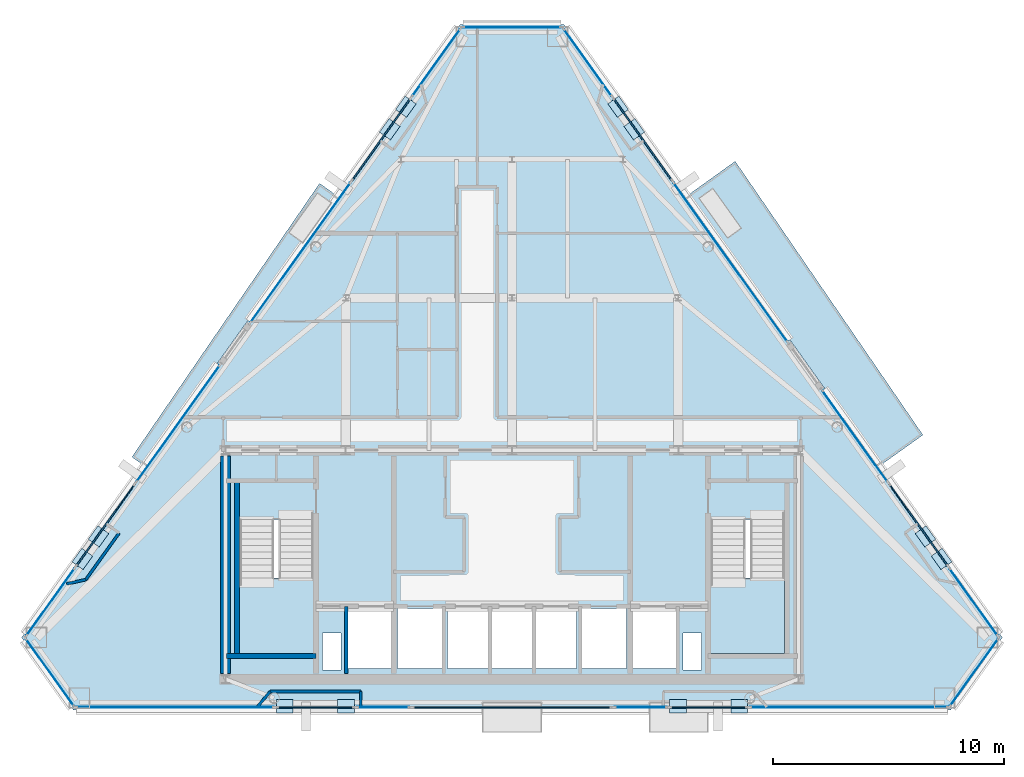
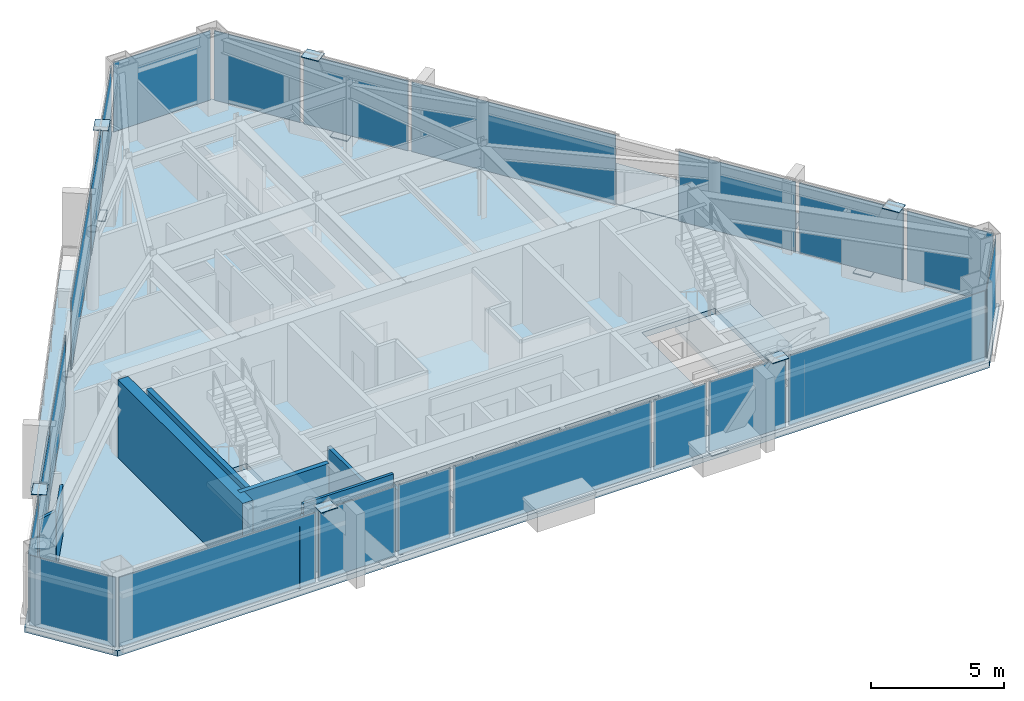
# One storey, part 7 of 12: 34 plates, 9 walls, 5 slabs, 24 elements without a shape of their own.
"""IFC4 building model written with IfcOpenShell, lengths in metres."""

from ifc_helpers import new_model, si_unit, direction, frame, frame_2d, origin, origin_2d, place, context, subcontext, project, spatial, polyline, rectangle, outline, extrude, source, transform, mapped, material, layer, layer_set, type_object, type_shapes, element, aggregate, save


model = new_model("IFC4")

# Units and contexts
model_context = context("Model", 3, precision=1e-05, world=origin(), true_north=direction((0.0, 1.0)))
body_context = subcontext(model_context, "Body", "Model", "MODEL_VIEW")
ifc_project = project(units=[si_unit("LENGTHUNIT", "METRE"), si_unit("AREAUNIT", "SQUARE_METRE"), si_unit("VOLUMEUNIT", "CUBIC_METRE"), si_unit("PLANEANGLEUNIT", "RADIAN"), si_unit("MASSUNIT", "GRAM", prefix="KILO")], contexts=[model_context])

# Site, building, storey
site_placement = place(None, origin())
site = spatial("IfcSite", under=ifc_project, at=site_placement, CompositionType="ELEMENT")
building_placement = place(site_placement, origin())
building = spatial("IfcBuilding", under=site, at=building_placement, Name="Talgorran Terracotta Tower", CompositionType="ELEMENT")
storey_placement = place(building_placement, frame((0.0, 0.0, 270.60009765625)))
storey = spatial("IfcBuildingStorey", under=building, at=storey_placement, Name="L71", CompositionType="ELEMENT", Elevation=270.60009765625)

# Plates
ifc_material_1 = material(Name="Steel Grade 350 (350L0)", Category="steel")
ifc_layer_1 = layer(ifc_material_1, 0.031982421875, Name="PL_CAP_MN07")
ifc_layer_set_1 = layer_set([ifc_layer_1], Name="Steel Grade 350 (350L0)")
plate_type_1 = type_object("IfcPlateType", Name="PL_CAP_MN07", PredefinedType="USERDEFINED", material=ifc_layer_set_1)
for number, where, z_axis, x_axis, name in (
    (1, (-7.181884765625, -15.27880859375, -0.005859375), (0.0, 0.0, 1.0), (-1.0, 0.0, 0.0), "L71 Diagonal Frame End Cap SWF Bot"),
    (2, (-9.82763671875, -15.27880859375, 3.31884765625), (0.0, 0.0, 1.0), (-1.0, 0.0, 0.0), "L71 Diagonal Frame End Cap SWF Top"),
    (3, (7.181884765625, -15.27880859375, -0.005859375), (0.0, 0.0, 1.0), (1.0, 0.0, 0.0), "L71 Diagonal Frame End Cap SEF Bot"),
    (4, (9.82763671875, -15.27880859375, 3.31884765625), (0.0, 0.0, 1.0), (1.0, 0.0, 0.0), "L71 Diagonal Frame End Cap SEF Top"),
    (5, (17.8955078125, -7.92431640625, -0.005859375), (0.0, 0.0, 1.0), (0.581697151818, -0.813405448449, 0.0), "L71 Diagonal Frame End Cap NEL Bot"),
    (6, (18.593505859375, -8.900390625, 3.31884765625), (0.0, 0.0, 1.0), (0.581697151818, -0.813405448449, 0.0), "L71 Diagonal Frame End Cap NEL Top"),
    (7, (5.292236328125, 9.69775390625, -0.005859375), (0.0, 0.0, 1.0), (-0.581697151818, 0.813405448449, 0.0), "L71 Diagonal Frame End Cap NEU Bot"),
    (8, (4.593994140625, 10.673583984375, 3.31884765625), (0.0, 0.0, 1.0), (-0.581697151818, 0.813405448449, 0.0), "L71 Diagonal Frame End Cap NEU Top"),
    (9, (-5.292236328125, 9.69775390625, -0.005859375), (0.0, 0.0, 1.0), (0.581697151818, 0.813405448449, 0.0), "L71 Diagonal Frame End Cap NWU Bot"),
    (10, (-4.593994140625, 10.673583984375, 3.31884765625), (0.0, 0.0, 1.0), (0.581697151818, 0.813405448449, 0.0), "L71 Diagonal Frame End Cap NWU Top"),
    (11, (-17.8955078125, -7.92431640625, -0.005859375), (0.0, 0.0, 1.0), (-0.581697151818, -0.813405448449, 0.0), "L71 Diagonal Frame End Cap NWL Bot"),
    (12, (-18.593505859375, -8.900390625, 3.31884765625), (0.0, 0.0, 1.0), (-0.581697151818, -0.813405448449, 0.0), "L71 Diagonal Frame End Cap NWL Top"),
):
    element("IfcPlate", number, at=place(storey_placement, frame(where, z_axis=z_axis, x_axis=x_axis)), inside=storey, type_object=plate_type_1, Name=name, ObjectType="CAP PLATE", PredefinedType="USERDEFINED", context=body_context, shape_type="SweptSolid", body=[
        extrude(rectangle(XDim=0.719970703125, YDim=0.580078125, at=origin_2d()), origin(), (0.0, 0.0, 1.0), 0.031982421875),
    ])

# Slabs
ifc_material_2 = material(Name="Concrete C40/50", Category="concrete")
ifc_layer_2 = layer(ifc_material_2, 0.219970703125, Name="SL_BALCONY_220")
ifc_layer_set_2 = layer_set([ifc_layer_2], Name="Concrete C40/50")
slab_type_1 = type_object("IfcSlabType", Name="SL_BALCONY_220", PredefinedType="FLOOR", material=ifc_layer_set_2)
slab_1_placement = place(storey_placement, frame((0.0, 0.0, -0.22021484375)))
element("IfcSlab", 13, at=slab_1_placement, inside=storey, type_object=slab_type_1, Name="L71 Outdoor Wave Balcony BAL-NE", PredefinedType="FLOOR", context=body_context, shape_type="SweptSolid", body=[
    extrude(outline(polyline([(7.569580078125, 6.814208984375), (15.92138671875, -4.863525390625), (17.781982421875, -3.532958984375), (9.66015625, 8.309326171875), (7.569580078125, 6.814208984375)])), origin(), (0.0, 0.0, 1.0), 0.22021484375),
])
slab_2_placement = place(storey_placement, frame((0.0, 0.0, -0.22021484375)))
element("IfcSlab", 14, at=slab_2_placement, inside=storey, type_object=slab_type_1, Name="L71 Outdoor Wave Balcony BAL-NW", PredefinedType="FLOOR", context=body_context, shape_type="SweptSolid", body=[
    extrude(outline(polyline([(-15.92138671875, -4.863525390625), (-7.569580078125, 6.814208984375), (-8.328125, 7.356689453125), (-16.4501953125, -4.485595703125), (-15.92138671875, -4.863525390625)])), origin(), (0.0, 0.0, 1.0), 0.22021484375),
])

# Stair, slab
stair_type = type_object("IfcStairType", Name="ST_FIRE_SCISSOR", PredefinedType="HALF_TURN_STAIR", material=ifc_material_2)
stair_1_placement = place(storey_placement, origin())
stair_1 = element("IfcStair", 15, at=stair_1_placement, inside=storey, type_object=stair_type, Name="L71 West Protected Fire Stair ST-01", PredefinedType="HALF_TURN_STAIR")
ifc_layer_3 = layer(ifc_material_2, 0.199951171875, Name="SL_LANDING_200")
ifc_layer_set_3 = layer_set([ifc_layer_3], Name="Concrete C40/50")
slab_type_2 = type_object("IfcSlabType", Name="SL_LANDING_200", PredefinedType="LANDING", material=ifc_layer_set_3)
slab_3_placement = place(storey_placement, frame((0.0, 0.0, 1.599853515625)))
slab_3 = element("IfcSlab", 16, at=slab_3_placement, type_object=slab_type_2, Name="ST-01 landing 1", PredefinedType="LANDING", context=body_context, shape_type="SweptSolid", body=[
    extrude(outline(polyline([(-11.800048828125, -9.719970703125), (-11.800048828125, -13.0), (-8.60009765625, -13.0), (-8.60009765625, -9.719970703125), (-11.800048828125, -9.719970703125)])), origin(), (0.0, 0.0, 1.0), 0.199951171875),
])
aggregate(stair_1, [slab_3])

stair_2_placement = place(storey_placement, origin())
stair_2 = element("IfcStair", 17, at=stair_2_placement, inside=storey, type_object=stair_type, Name="L71 East Protected Fire Stair ST-02", PredefinedType="HALF_TURN_STAIR")
slab_4_placement = place(storey_placement, frame((0.0, 0.0, 1.599853515625)))
slab_4 = element("IfcSlab", 18, at=slab_4_placement, type_object=slab_type_2, Name="ST-02 landing 1", PredefinedType="LANDING", context=body_context, shape_type="SweptSolid", body=[
    extrude(outline(polyline([(8.60009765625, -9.719970703125), (8.60009765625, -13.0), (11.800048828125, -13.0), (11.800048828125, -9.719970703125), (8.60009765625, -9.719970703125)])), origin(), (0.0, 0.0, 1.0), 0.199951171875),
])
aggregate(stair_2, [slab_4])

# Slab
ifc_layer_4 = layer(ifc_material_2, 0.2548828125, Name="SL_TOWER_235")
ifc_layer_set_4 = layer_set([ifc_layer_4], Name="Concrete C40/50")
slab_type_3 = type_object("IfcSlabType", Name="SL_TOWER_235", PredefinedType="FLOOR", material=ifc_layer_set_4)
slab_5_placement = place(storey_placement, frame((0.0, 0.0, -0.255126953125)))
element("IfcSlab", 19, at=slab_5_placement, inside=storey, type_object=slab_type_3, Name="Storey L71 Structural Floor Slab", PredefinedType="FLOOR", context=body_context, shape_type="SweptSolid", body=[
    extrude(outline(polyline([(-21.22412109375, -12.303466796875), (-18.981689453125, -15.43896484375), (18.981689453125, -15.43896484375), (21.22412109375, -12.303466796875), (2.242431640625, 14.23681640625), (-2.242431640625, 14.23681640625), (-21.22412109375, -12.303466796875)]), holes=[polyline([(-11.800048828125, -7.199951171875), (-11.800048828125, -13.0), (-8.60009765625, -13.0), (-8.60009765625, -7.199951171875), (-11.800048828125, -7.199951171875)]), polyline([(8.60009765625, -7.199951171875), (8.60009765625, -13.0), (11.800048828125, -13.0), (11.800048828125, -7.199951171875), (8.60009765625, -7.199951171875)]), polyline([(-7.10009765625, -13.64990234375), (-5.199951171875, -13.64990234375), (-5.199951171875, -11.050048828125), (-7.10009765625, -11.050048828125), (-7.10009765625, -13.64990234375)]), polyline([(5.199951171875, -13.64990234375), (7.10009765625, -13.64990234375), (7.10009765625, -11.050048828125), (5.199951171875, -11.050048828125), (5.199951171875, -13.64990234375)]), polyline([(3.0, -13.64990234375), (4.949951171875, -13.64990234375), (4.949951171875, -11.050048828125), (3.0, -11.050048828125), (3.0, -13.64990234375)]), polyline([(-4.949951171875, -13.64990234375), (-3.0, -13.64990234375), (-3.0, -11.050048828125), (-4.949951171875, -11.050048828125), (-4.949951171875, -13.64990234375)]), polyline([(-2.800048828125, -13.64990234375), (-1.0, -13.64990234375), (-1.0, -11.050048828125), (-2.800048828125, -11.050048828125), (-2.800048828125, -13.64990234375)]), polyline([(-0.89990234375, -13.64990234375), (0.89990234375, -13.64990234375), (0.89990234375, -11.050048828125), (-0.89990234375, -11.050048828125), (-0.89990234375, -13.64990234375)]), polyline([(1.0, -13.64990234375), (2.800048828125, -13.64990234375), (2.800048828125, -11.050048828125), (1.0, -11.050048828125), (1.0, -13.64990234375)]), polyline([(-8.199951171875, -13.699951171875), (-7.39990234375, -13.699951171875), (-7.39990234375, -12.10009765625), (-8.199951171875, -12.10009765625), (-8.199951171875, -13.699951171875)]), polyline([(7.39990234375, -13.699951171875), (8.199951171875, -13.699951171875), (8.199951171875, -12.10009765625), (7.39990234375, -12.10009765625), (7.39990234375, -13.699951171875)])]), origin(), (0.0, 0.0, 1.0), 0.255126953125),
])

# Curtain wall, plate
ifc_material_3 = material(Name="High-Wind Unitised Glazing", Category="glass")
ifc_layer_5 = layer(ifc_material_3, 0.2099609375, Name="CW_SYS3_RES_HIGH")
ifc_layer_set_5 = layer_set([ifc_layer_5], Name="High-Wind Unitised Glazing")
curtain_wall_type = type_object("IfcCurtainWallType", Name="CW_SYS3_RES_HIGH", PredefinedType="NOTDEFINED", material=ifc_layer_set_5)
curtain_wall_1_placement = place(storey_placement, origin())
curtain_wall_1 = element("IfcCurtainWall", 20, at=curtain_wall_1_placement, inside=storey, type_object=curtain_wall_type, Name="CW-L71-F0", PredefinedType="NOTDEFINED")
ifc_material_4 = material(Name="High-Wind Acoustic Vision Glass", Category="glass")
ifc_layer_6 = layer(ifc_material_4, 0.031982421875, Name="PLT_VISION_32")
ifc_layer_set_6 = layer_set([ifc_layer_6], Name="High-Wind Acoustic Vision Glass")
plate_type_2 = type_object("IfcPlateType", Name="PLT_VISION_32", PredefinedType="CURTAIN_PANEL", material=ifc_layer_set_6)
shared_shape_1 = source(origin(), body_context, "Body", "SweptSolid", [
    extrude(rectangle(XDim=3.5673828125, YDim=0.031982421875, at=origin_2d()), origin(), (0.0, 0.0, 1.0), 3.205078125),
])
plate_1_placement = place(storey_placement, frame((-19.998291015625, -13.811279296875, 0.06982421875), z_axis=(0.0, 0.0, 1.0), x_axis=(0.581745845777, -0.813370623345, 0.0)))
plate_1 = element("IfcPlate", 21, at=plate_1_placement, type_object=plate_type_2, Name="CW-L71-0 panel 1.1", PredefinedType="CURTAIN_PANEL", context=body_context, shape_type="MappedRepresentation", body=[
    mapped(shared_shape_1, transform((0.0, 0.0, 0.0), scale=1.0)),
])
aggregate(curtain_wall_1, [plate_1])

curtain_wall_2_placement = place(storey_placement, origin())
curtain_wall_2 = element("IfcCurtainWall", 22, at=curtain_wall_2_placement, inside=storey, type_object=curtain_wall_type, Name="CW-L71-F2", PredefinedType="NOTDEFINED")
plate_2_placement = place(storey_placement, frame((19.998291015625, -13.811279296875, 0.06982421875), z_axis=(0.0, 0.0, 1.0), x_axis=(0.581745845777, 0.813370623345, 0.0)))
plate_2 = element("IfcPlate", 23, at=plate_2_placement, type_object=plate_type_2, Name="CW-L71-2 panel 1.1", PredefinedType="CURTAIN_PANEL", context=body_context, shape_type="MappedRepresentation", body=[
    mapped(shared_shape_1, transform((0.0, 0.0, 0.0), scale=1.0)),
])
aggregate(curtain_wall_2, [plate_2])

curtain_wall_3_placement = place(storey_placement, origin())
curtain_wall_3 = element("IfcCurtainWall", 24, at=curtain_wall_3_placement, inside=storey, type_object=curtain_wall_type, Name="CW-L71-F1", PredefinedType="NOTDEFINED")
shared_shape_2 = source(origin(), body_context, "Body", "SweptSolid", [
    extrude(rectangle(XDim=8.537109375, YDim=0.031982421875, at=origin_2d()), origin(), (0.0, 0.0, 1.0), 3.205078125),
])
plate_3_placement = place(storey_placement, frame((-14.58154296875, -15.31884765625, 0.06982421875), z_axis=(0.0, 0.0, 1.0), x_axis=(1.0, 0.0, 0.0)))
plate_3 = element("IfcPlate", 25, at=plate_3_placement, type_object=plate_type_2, Name="CW-L71-1 panel 1.1", PredefinedType="CURTAIN_PANEL", context=body_context, shape_type="MappedRepresentation", body=[
    mapped(shared_shape_2, transform((0.0, 0.0, 0.0), scale=1.0)),
])
aggregate(curtain_wall_3, [plate_3])

curtain_wall_4_placement = place(storey_placement, origin())
curtain_wall_4 = element("IfcCurtainWall", 26, at=curtain_wall_4_placement, inside=storey, type_object=curtain_wall_type, Name="CW-L71-F1G", PredefinedType="NOTDEFINED")
plate_4_placement = place(storey_placement, frame((14.58154296875, -15.31884765625, 0.06982421875), z_axis=(0.0, 0.0, 1.0), x_axis=(1.0, 0.0, 0.0)))
plate_4 = element("IfcPlate", 27, at=plate_4_placement, type_object=plate_type_2, Name="CW-L71-1G panel 1.1", PredefinedType="CURTAIN_PANEL", context=body_context, shape_type="MappedRepresentation", body=[
    mapped(shared_shape_2, transform((0.0, 0.0, 0.0), scale=1.0)),
])
aggregate(curtain_wall_4, [plate_4])

curtain_wall_5_placement = place(storey_placement, origin())
curtain_wall_5 = element("IfcCurtainWall", 28, at=curtain_wall_5_placement, inside=storey, type_object=curtain_wall_type, Name="CW-L71-F1B", PredefinedType="NOTDEFINED")
ifc_material_5 = material(Name="Terracotta Insulated Spandrel", Category="masonry")
ifc_layer_7 = layer(ifc_material_5, 0.06494140625, Name="PLT_SPANDREL_TERRA")
ifc_layer_set_7 = layer_set([ifc_layer_7], Name="Terracotta Insulated Spandrel")
plate_type_3 = type_object("IfcPlateType", Name="PLT_SPANDREL_TERRA", PredefinedType="SHEET", material=ifc_layer_set_7)
shared_shape_3 = source(origin(), body_context, "Body", "SweptSolid", [
    extrude(rectangle(XDim=3.31640625, YDim=0.06494140625, at=origin_2d()), origin(), (0.0, 0.0, 1.0), 3.205078125),
])
plate_5_placement = place(storey_placement, frame((-8.504638671875, -15.31884765625, 0.06982421875), z_axis=(0.0, 0.0, 1.0), x_axis=(1.0, 0.0, 0.0)))
plate_5 = element("IfcPlate", 29, at=plate_5_placement, type_object=plate_type_3, Name="CW-L71-1B panel 1.1", PredefinedType="CURTAIN_PANEL", context=body_context, shape_type="MappedRepresentation", body=[
    mapped(shared_shape_3, transform((0.0, 0.0, 0.0), scale=1.0)),
])
aggregate(curtain_wall_5, [plate_5])

curtain_wall_6_placement = place(storey_placement, origin())
curtain_wall_6 = element("IfcCurtainWall", 30, at=curtain_wall_6_placement, inside=storey, type_object=curtain_wall_type, Name="CW-L71-F1F", PredefinedType="NOTDEFINED")
plate_6_placement = place(storey_placement, frame((8.504638671875, -15.31884765625, 0.06982421875), z_axis=(0.0, 0.0, 1.0), x_axis=(1.0, 0.0, 0.0)))
plate_6 = element("IfcPlate", 31, at=plate_6_placement, type_object=plate_type_3, Name="CW-L71-1F panel 1.1", PredefinedType="CURTAIN_PANEL", context=body_context, shape_type="MappedRepresentation", body=[
    mapped(shared_shape_3, transform((0.0, 0.0, 0.0), scale=1.0)),
])
aggregate(curtain_wall_6, [plate_6])

curtain_wall_7_placement = place(storey_placement, origin())
curtain_wall_7 = element("IfcCurtainWall", 32, at=curtain_wall_7_placement, inside=storey, type_object=curtain_wall_type, Name="CW-L71-F1C", PredefinedType="NOTDEFINED")
shared_shape_4 = source(origin(), body_context, "Body", "SweptSolid", [
    extrude(rectangle(XDim=2.2548828125, YDim=0.031982421875, at=origin_2d()), origin(), (0.0, 0.0, 1.0), 3.205078125),
])
plate_7_placement = place(storey_placement, frame((-5.569091796875, -15.31884765625, 0.06982421875), z_axis=(0.0, 0.0, 1.0), x_axis=(1.0, 0.0, 0.0)))
plate_7 = element("IfcPlate", 33, at=plate_7_placement, type_object=plate_type_2, Name="CW-L71-1C panel 1.1", PredefinedType="CURTAIN_PANEL", context=body_context, shape_type="MappedRepresentation", body=[
    mapped(shared_shape_4, transform((0.0, 0.0, 0.0), scale=1.0)),
])
aggregate(curtain_wall_7, [plate_7])

curtain_wall_8_placement = place(storey_placement, origin())
curtain_wall_8 = element("IfcCurtainWall", 34, at=curtain_wall_8_placement, inside=storey, type_object=curtain_wall_type, Name="CW-L71-F1E", PredefinedType="NOTDEFINED")
plate_8_placement = place(storey_placement, frame((5.569091796875, -15.31884765625, 0.06982421875), z_axis=(0.0, 0.0, 1.0), x_axis=(1.0, 0.0, 0.0)))
plate_8 = element("IfcPlate", 35, at=plate_8_placement, type_object=plate_type_2, Name="CW-L71-1E panel 1.1", PredefinedType="CURTAIN_PANEL", context=body_context, shape_type="MappedRepresentation", body=[
    mapped(shared_shape_4, transform((0.0, 0.0, 0.0), scale=1.0)),
])
aggregate(curtain_wall_8, [plate_8])

curtain_wall_9_placement = place(storey_placement, origin())
curtain_wall_9 = element("IfcCurtainWall", 36, at=curtain_wall_9_placement, inside=storey, type_object=curtain_wall_type, Name="CW-L71-F1D", PredefinedType="NOTDEFINED")
shared_shape_5 = source(origin(), body_context, "Body", "SweptSolid", [
    extrude(rectangle(XDim=8.5830078125, YDim=0.06494140625, at=origin_2d()), origin(), (0.0, 0.0, 1.0), 3.205078125),
])
plate_9_placement = place(storey_placement, frame((0.0, -15.31884765625, 0.06982421875), z_axis=(0.0, 0.0, 1.0), x_axis=(1.0, 0.0, 0.0)))
plate_9 = element("IfcPlate", 37, at=plate_9_placement, type_object=plate_type_3, Name="CW-L71-1D panel 1.1", PredefinedType="CURTAIN_PANEL", context=body_context, shape_type="MappedRepresentation", body=[
    mapped(shared_shape_5, transform((0.0, 0.0, 0.0), scale=1.0)),
])
aggregate(curtain_wall_9, [plate_9])

curtain_wall_10_placement = place(storey_placement, origin())
curtain_wall_10 = element("IfcCurtainWall", 38, at=curtain_wall_10_placement, inside=storey, type_object=curtain_wall_type, Name="CW-L71-F40", PredefinedType="NOTDEFINED")
shared_shape_6 = source(origin(), body_context, "Body", "SweptSolid", [
    extrude(rectangle(XDim=3.56640625, YDim=0.031982421875, at=origin_2d()), origin(), (0.0, 0.0, 1.0), 3.205078125),
])
plate_10_placement = place(storey_placement, frame((19.975341796875, -10.763671875, 0.06982421875), z_axis=(0.0, 0.0, 1.0), x_axis=(-0.581728113861, 0.813383305425, 0.0)))
plate_10 = element("IfcPlate", 39, at=plate_10_placement, type_object=plate_type_2, Name="CW-L71-40 panel 1.1", PredefinedType="CURTAIN_PANEL", context=body_context, shape_type="MappedRepresentation", body=[
    mapped(shared_shape_6, transform((0.0, 0.0, 0.0), scale=1.0)),
])
aggregate(curtain_wall_10, [plate_10])

curtain_wall_11_placement = place(storey_placement, origin())
curtain_wall_11 = element("IfcCurtainWall", 40, at=curtain_wall_11_placement, inside=storey, type_object=curtain_wall_type, Name="CW-L71-F61C", PredefinedType="NOTDEFINED")
plate_11_placement = place(storey_placement, frame((-19.975341796875, -10.763671875, 0.06982421875), z_axis=(0.0, 0.0, 1.0), x_axis=(-0.581728113861, -0.813383305425, 0.0)))
plate_11 = element("IfcPlate", 41, at=plate_11_placement, type_object=plate_type_2, Name="CW-L71-61C panel 1.1", PredefinedType="CURTAIN_PANEL", context=body_context, shape_type="MappedRepresentation", body=[
    mapped(shared_shape_6, transform((0.0, 0.0, 0.0), scale=1.0)),
])
aggregate(curtain_wall_11, [plate_11])

curtain_wall_12_placement = place(storey_placement, origin())
curtain_wall_12 = element("IfcCurtainWall", 42, at=curtain_wall_12_placement, inside=storey, type_object=curtain_wall_type, Name="CW-L71-F40B", PredefinedType="NOTDEFINED")
shared_shape_7 = source(origin(), body_context, "Body", "SweptSolid", [
    extrude(rectangle(XDim=4.318115234375, YDim=0.06494140625, at=origin_2d()), origin(), (0.0, 0.0, 1.0), 3.205078125),
])
type_shapes(plate_type_3, [shared_shape_3, shared_shape_5, shared_shape_7])
plate_12_placement = place(storey_placement, frame((17.5947265625, -7.43505859375, 0.06982421875), z_axis=(0.0, 0.0, 1.0), x_axis=(-0.58172187005, 0.813387770934, 0.0)))
plate_12 = element("IfcPlate", 43, at=plate_12_placement, type_object=plate_type_3, Name="CW-L71-40B panel 1.1", PredefinedType="CURTAIN_PANEL", context=body_context, shape_type="MappedRepresentation", body=[
    mapped(shared_shape_7, transform((0.0, 0.0, 0.0), scale=1.0)),
])
aggregate(curtain_wall_12, [plate_12])

curtain_wall_13_placement = place(storey_placement, origin())
curtain_wall_13 = element("IfcCurtainWall", 44, at=curtain_wall_13_placement, inside=storey, type_object=curtain_wall_type, Name="CW-L71-F41B", PredefinedType="NOTDEFINED")
plate_13_placement = place(storey_placement, frame((5.657958984375, 9.2548828125, 0.06982421875), z_axis=(0.0, 0.0, 1.0), x_axis=(-0.581747323651, 0.813369566326, 0.0)))
plate_13 = element("IfcPlate", 45, at=plate_13_placement, type_object=plate_type_3, Name="CW-L71-41B panel 1.1", PredefinedType="CURTAIN_PANEL", context=body_context, shape_type="MappedRepresentation", body=[
    mapped(shared_shape_7, transform((0.0, 0.0, 0.0), scale=1.0)),
])
aggregate(curtain_wall_13, [plate_13])

curtain_wall_14_placement = place(storey_placement, origin())
curtain_wall_14 = element("IfcCurtainWall", 46, at=curtain_wall_14_placement, inside=storey, type_object=curtain_wall_type, Name="CW-L71-F60B", PredefinedType="NOTDEFINED")
plate_14_placement = place(storey_placement, frame((-5.657958984375, 9.2548828125, 0.06982421875), z_axis=(0.0, 0.0, 1.0), x_axis=(-0.58173248369, -0.813380180125, 0.0)))
plate_14 = element("IfcPlate", 47, at=plate_14_placement, type_object=plate_type_3, Name="CW-L71-60B panel 1.1", PredefinedType="CURTAIN_PANEL", context=body_context, shape_type="MappedRepresentation", body=[
    mapped(shared_shape_7, transform((0.0, 0.0, 0.0), scale=1.0)),
])
aggregate(curtain_wall_14, [plate_14])

curtain_wall_15_placement = place(storey_placement, origin())
curtain_wall_15 = element("IfcCurtainWall", 48, at=curtain_wall_15_placement, inside=storey, type_object=curtain_wall_type, Name="CW-L71-F61B", PredefinedType="NOTDEFINED")
plate_15_placement = place(storey_placement, frame((-17.5947265625, -7.43505859375, 0.06982421875), z_axis=(0.0, 0.0, 1.0), x_axis=(-0.58173248369, -0.813380180125, 0.0)))
plate_15 = element("IfcPlate", 49, at=plate_15_placement, type_object=plate_type_3, Name="CW-L71-61B panel 1.1", PredefinedType="CURTAIN_PANEL", context=body_context, shape_type="MappedRepresentation", body=[
    mapped(shared_shape_7, transform((0.0, 0.0, 0.0), scale=1.0)),
])
aggregate(curtain_wall_15, [plate_15])

curtain_wall_16_placement = place(storey_placement, origin())
curtain_wall_16 = element("IfcCurtainWall", 50, at=curtain_wall_16_placement, inside=storey, type_object=curtain_wall_type, Name="CW-L71-F40C", PredefinedType="NOTDEFINED")
shared_shape_8 = source(origin(), body_context, "Body", "SweptSolid", [
    extrude(rectangle(XDim=4.850341796875, YDim=0.031982421875, at=origin_2d()), origin(), (0.0, 0.0, 1.0), 3.205078125),
])
plate_16_placement = place(storey_placement, frame((14.8408203125, -3.584228515625, 0.06982421875), z_axis=(0.0, 0.0, 1.0), x_axis=(-0.581734712783, 0.813378585865, 0.0)))
plate_16 = element("IfcPlate", 51, at=plate_16_placement, type_object=plate_type_2, Name="CW-L71-40C panel 1.1", PredefinedType="CURTAIN_PANEL", context=body_context, shape_type="MappedRepresentation", body=[
    mapped(shared_shape_8, transform((0.0, 0.0, 0.0), scale=1.0)),
])
aggregate(curtain_wall_16, [plate_16])

curtain_wall_17_placement = place(storey_placement, origin())
curtain_wall_17 = element("IfcCurtainWall", 52, at=curtain_wall_17_placement, inside=storey, type_object=curtain_wall_type, Name="CW-L71-F41", PredefinedType="NOTDEFINED")
shared_shape_9 = source(origin(), body_context, "Body", "SweptSolid", [
    extrude(rectangle(XDim=8.450927734375, YDim=0.031982421875, at=origin_2d()), origin(), (0.0, 0.0, 1.0), 3.205078125),
])
plate_17_placement = place(storey_placement, frame((9.45947265625, 3.93994140625, 0.06982421875), z_axis=(0.0, 0.0, 1.0), x_axis=(-0.581730278797, 0.813381757068, 0.0)))
plate_17 = element("IfcPlate", 53, at=plate_17_placement, type_object=plate_type_2, Name="CW-L71-41 panel 1.1", PredefinedType="CURTAIN_PANEL", context=body_context, shape_type="MappedRepresentation", body=[
    mapped(shared_shape_9, transform((0.0, 0.0, 0.0), scale=1.0)),
])
aggregate(curtain_wall_17, [plate_17])

curtain_wall_18_placement = place(storey_placement, origin())
curtain_wall_18 = element("IfcCurtainWall", 54, at=curtain_wall_18_placement, inside=storey, type_object=curtain_wall_type, Name="CW-L71-F41C", PredefinedType="NOTDEFINED")
shared_shape_10 = source(origin(), body_context, "Body", "SweptSolid", [
    extrude(rectangle(XDim=3.558349609375, YDim=0.031982421875, at=origin_2d()), origin(), (0.0, 0.0, 1.0), 3.205078125),
])
plate_18_placement = place(storey_placement, frame((3.27978515625, 12.580322265625, 0.06982421875), z_axis=(0.0, 0.0, 1.0), x_axis=(-0.581731743686, 0.813380709378, 0.0)))
plate_18 = element("IfcPlate", 55, at=plate_18_placement, type_object=plate_type_2, Name="CW-L71-41C panel 1.1", PredefinedType="CURTAIN_PANEL", context=body_context, shape_type="MappedRepresentation", body=[
    mapped(shared_shape_10, transform((0.0, 0.0, 0.0), scale=1.0)),
])
aggregate(curtain_wall_18, [plate_18])

curtain_wall_19_placement = place(storey_placement, origin())
curtain_wall_19 = element("IfcCurtainWall", 56, at=curtain_wall_19_placement, inside=storey, type_object=curtain_wall_type, Name="CW-L71-F60", PredefinedType="NOTDEFINED")
plate_19_placement = place(storey_placement, frame((-3.27978515625, 12.580322265625, 0.06982421875), z_axis=(0.0, 0.0, 1.0), x_axis=(-0.581731743686, -0.813380709378, 0.0)))
plate_19 = element("IfcPlate", 57, at=plate_19_placement, type_object=plate_type_2, Name="CW-L71-60 panel 1.1", PredefinedType="CURTAIN_PANEL", context=body_context, shape_type="MappedRepresentation", body=[
    mapped(shared_shape_10, transform((0.0, 0.0, 0.0), scale=1.0)),
])
aggregate(curtain_wall_19, [plate_19])

curtain_wall_20_placement = place(storey_placement, origin())
curtain_wall_20 = element("IfcCurtainWall", 58, at=curtain_wall_20_placement, inside=storey, type_object=curtain_wall_type, Name="CW-L71-F4", PredefinedType="NOTDEFINED")
shared_shape_11 = source(origin(), body_context, "Body", "SweptSolid", [
    extrude(rectangle(XDim=4.2216796875, YDim=0.031982421875, at=origin_2d()), origin(), (0.0, 0.0, 1.0), 3.205078125),
])
plate_20_placement = place(storey_placement, frame((0.0, 14.11669921875, 0.06982421875), z_axis=(0.0, 0.0, 1.0), x_axis=(-1.0, 0.0, 0.0)))
plate_20 = element("IfcPlate", 59, at=plate_20_placement, type_object=plate_type_2, Name="CW-L71-4 panel 1.1", PredefinedType="CURTAIN_PANEL", context=body_context, shape_type="MappedRepresentation", body=[
    mapped(shared_shape_11, transform((0.0, 0.0, 0.0), scale=1.0)),
])
aggregate(curtain_wall_20, [plate_20])

curtain_wall_21_placement = place(storey_placement, origin())
curtain_wall_21 = element("IfcCurtainWall", 60, at=curtain_wall_21_placement, inside=storey, type_object=curtain_wall_type, Name="CW-L71-F60C", PredefinedType="NOTDEFINED")
shared_shape_12 = source(origin(), body_context, "Body", "SweptSolid", [
    extrude(rectangle(XDim=7.41455078125, YDim=0.031982421875, at=origin_2d()), origin(), (0.0, 0.0, 1.0), 3.205078125),
])
plate_21_placement = place(storey_placement, frame((-9.157958984375, 4.361328125, 0.06982421875), z_axis=(0.0, 0.0, 1.0), x_axis=(-0.581731437702, -0.813380928218, 0.0)))
plate_21 = element("IfcPlate", 61, at=plate_21_placement, type_object=plate_type_2, Name="CW-L71-60C panel 1.1", PredefinedType="CURTAIN_PANEL", context=body_context, shape_type="MappedRepresentation", body=[
    mapped(shared_shape_12, transform((0.0, 0.0, 0.0), scale=1.0)),
])
aggregate(curtain_wall_21, [plate_21])

curtain_wall_22_placement = place(storey_placement, origin())
curtain_wall_22 = element("IfcCurtainWall", 62, at=curtain_wall_22_placement, inside=storey, type_object=curtain_wall_type, Name="CW-L71-F61", PredefinedType="NOTDEFINED")
shared_shape_13 = source(origin(), body_context, "Body", "SweptSolid", [
    extrude(rectangle(XDim=6.186767578125, YDim=0.031982421875, at=origin_2d()), origin(), (0.0, 0.0, 1.0), 3.205078125),
])
type_shapes(plate_type_2, [shared_shape_1, shared_shape_2, shared_shape_4, shared_shape_6, shared_shape_8, shared_shape_9, shared_shape_10, shared_shape_11, shared_shape_12, shared_shape_13])
plate_22_placement = place(storey_placement, frame((-14.451904296875, -3.040771484375, 0.06982421875), z_axis=(0.0, 0.0, 1.0), x_axis=(-0.58172102625, -0.813388374406, 0.0)))
plate_22 = element("IfcPlate", 63, at=plate_22_placement, type_object=plate_type_2, Name="CW-L71-61 panel 1.1", PredefinedType="CURTAIN_PANEL", context=body_context, shape_type="MappedRepresentation", body=[
    mapped(shared_shape_13, transform((0.0, 0.0, 0.0), scale=1.0)),
])
aggregate(curtain_wall_22, [plate_22])

# Walls
ifc_material_6 = material(Name="Concrete C50/60", Category="concrete")
ifc_layer_8 = layer(ifc_material_6, 0.199951171875, Name="WT_CORE_200")
ifc_layer_set_8 = layer_set([ifc_layer_8], Name="Concrete C50/60")
wall_type_1 = type_object("IfcWallType", Name="WT_CORE_200", PredefinedType="SOLIDWALL", material=ifc_layer_set_8)
wall_1_placement = place(storey_placement, frame((-12.35009765625, -13.10009765625, 0.0), z_axis=(0.0, 0.0, 1.0), x_axis=(1.0, 0.0, 0.0)))
element("IfcWall", 64, at=wall_1_placement, inside=storey, type_object=wall_type_1, Name="WL-L71-CW-ST1-S", PredefinedType="SOLIDWALL", context=body_context, shape_type="SweptSolid", body=[
    extrude(rectangle(XDim=3.8701171875, YDim=0.199951171875, at=frame_2d((1.93505859375, 0.0))), origin(), (0.0, 0.0, 1.0), 3.599853515625),
])
wall_2_placement = place(storey_placement, frame((-11.89990234375, -13.10009765625, 0.0), z_axis=(0.0, 0.0, 1.0), x_axis=(0.0, 1.0, 0.0)))
element("IfcWall", 65, at=wall_2_placement, inside=storey, type_object=wall_type_1, Name="WL-L71-CW-ST1-W", PredefinedType="SOLIDWALL", context=body_context, shape_type="SweptSolid", body=[
    extrude(rectangle(XDim=7.580078125, YDim=0.199951171875, at=frame_2d((3.7900390625, 0.0))), origin(), (0.0, 0.0, 1.0), 3.599853515625),
])
ifc_material_7 = material(Name="Concrete C65/80", Category="concrete")
ifc_layer_9 = layer(ifc_material_7, 0.449951171875, Name="WT_CORE_EXT")
ifc_layer_set_9 = layer_set([ifc_layer_9], Name="Concrete C65/80")
wall_type_2 = type_object("IfcWallType", Name="WT_CORE_EXT", PredefinedType="SHEAR", material=ifc_layer_set_9)
wall_3_placement = place(storey_placement, frame((-12.39990234375, -13.85009765625, 0.0), z_axis=(0.0, 0.0, 1.0), x_axis=(0.0, 1.0, 0.0)))
element("IfcWall", 66, at=wall_3_placement, inside=storey, type_object=wall_type_2, Name="WL-L71-CW-OUT-W", PredefinedType="SHEAR", context=body_context, shape_type="SweptSolid", body=[
    extrude(rectangle(XDim=9.400146484375, YDim=0.449951171875, at=frame_2d((4.7001953125, 0.0))), origin(), (0.0, 0.0, 1.0), 3.599853515625),
])
ifc_material_8 = material(Name="Insulated Steel Stud Plasterboard", Category="steel")
ifc_layer_10 = layer(ifc_material_8, 0.1201171875, Name="WT_PART_120")
ifc_layer_set_10 = layer_set([ifc_layer_10], Name="Insulated Steel Stud Plasterboard")
wall_type_3 = type_object("IfcWallType", Name="WT_PART_120", PredefinedType="PARTITIONING", material=ifc_layer_set_10)
wall_4_placement = place(storey_placement, frame((-10.4677734375, -14.638916015625, 0.0), z_axis=(0.0, 0.0, 1.0), x_axis=(1.0, 0.0, 0.0)))
element("IfcWall", 67, at=wall_4_placement, inside=storey, type_object=wall_type_3, Name="WL-L71-BW-L71-01", PredefinedType="PARTITIONING", context=body_context, shape_type="SweptSolid", body=[
    extrude(rectangle(XDim=3.926025390625, YDim=0.1201171875, at=frame_2d((1.962890625, 0.0))), origin(), (0.0, 0.0, 1.0), 3.344970703125),
])
wall_5_placement = place(storey_placement, frame((-17.002685546875, -7.776123046875, 0.0), z_axis=(0.0, 0.0, 1.0), x_axis=(-0.581731659236, -0.813380769777, 0.0)))
element("IfcWall", 68, at=wall_5_placement, inside=storey, type_object=wall_type_3, Name="WL-L71-BW-L71-08", PredefinedType="PARTITIONING", context=body_context, shape_type="SweptSolid", body=[
    extrude(rectangle(XDim=2.47998046875, YDim=0.1201171875, at=frame_2d((1.239990234375, 0.0))), origin(), (0.0, 0.0, 1.0), 2.31982421875),
])
wall_6_placement = place(storey_placement, frame((-11.029541015625, -15.308837890625, 0.0), z_axis=(0.0, 0.0, 1.0), x_axis=(0.642543514204, 0.766249197295, 0.0)))
element("IfcWall", 69, at=wall_6_placement, inside=storey, type_object=wall_type_3, Name="WL-L71-BW-L71-03", PredefinedType="PARTITIONING", context=body_context, shape_type="SweptSolid", body=[
    extrude(rectangle(XDim=0.874267578125, YDim=0.1201171875, at=frame_2d((0.43701171875, 0.0))), origin(), (0.0, 0.0, 1.0), 2.86279296875),
])
wall_7_placement = place(storey_placement, frame((-18.4453125, -9.793212890625, 0.0), z_axis=(0.0, 0.0, 1.0), x_axis=(-0.976274708093, -0.216535665279, 0.0)))
element("IfcWall", 70, at=wall_7_placement, inside=storey, type_object=wall_type_3, Name="WL-L71-BW-L71-09", PredefinedType="PARTITIONING", context=body_context, shape_type="SweptSolid", body=[
    extrude(rectangle(XDim=0.851318359375, YDim=0.1201171875, at=frame_2d((0.42578125, 0.0))), origin(), (0.0, 0.0, 1.0), 2.86279296875),
])
wall_8_placement = place(storey_placement, frame((-6.541748046875, -14.638916015625, 0.0), z_axis=(0.0, 0.0, 1.0), x_axis=(0.0, -1.0, 0.0)))
element("IfcWall", 71, at=wall_8_placement, inside=storey, type_object=wall_type_3, Name="WL-L71-BW-L71-02", PredefinedType="PARTITIONING", context=body_context, shape_type="SweptSolid", body=[
    extrude(rectangle(XDim=0.669921875, YDim=0.1201171875, at=frame_2d((0.3349609375, 0.0))), origin(), (0.0, 0.0, 1.0), 2.86279296875),
])
ifc_material_9 = material(Name="Fire-Rated Shaftwall")
ifc_layer_11 = layer(ifc_material_9, 0.159912109375, Name="WT_PART_150")
ifc_layer_set_11 = layer_set([ifc_layer_11], Name="Fire-Rated Shaftwall")
wall_type_4 = type_object("IfcWallType", Name="WT_PART_150", PredefinedType="PARTITIONING", material=ifc_layer_set_11)
wall_9_placement = place(storey_placement, frame((-7.179931640625, -13.85009765625, 0.0), z_axis=(0.0, 0.0, 1.0), x_axis=(0.0, 1.0, 0.0)))
element("IfcWall", 72, at=wall_9_placement, inside=storey, type_object=wall_type_4, Name="WL-L71-CW-RSW", PredefinedType="PARTITIONING", context=body_context, shape_type="SweptSolid", body=[
    extrude(rectangle(XDim=2.900146484375, YDim=0.159912109375, at=frame_2d((1.4501953125, 0.0))), origin(), (0.0, 0.0, 1.0), 2.56982421875),
])

save(model, "model.ifc")
